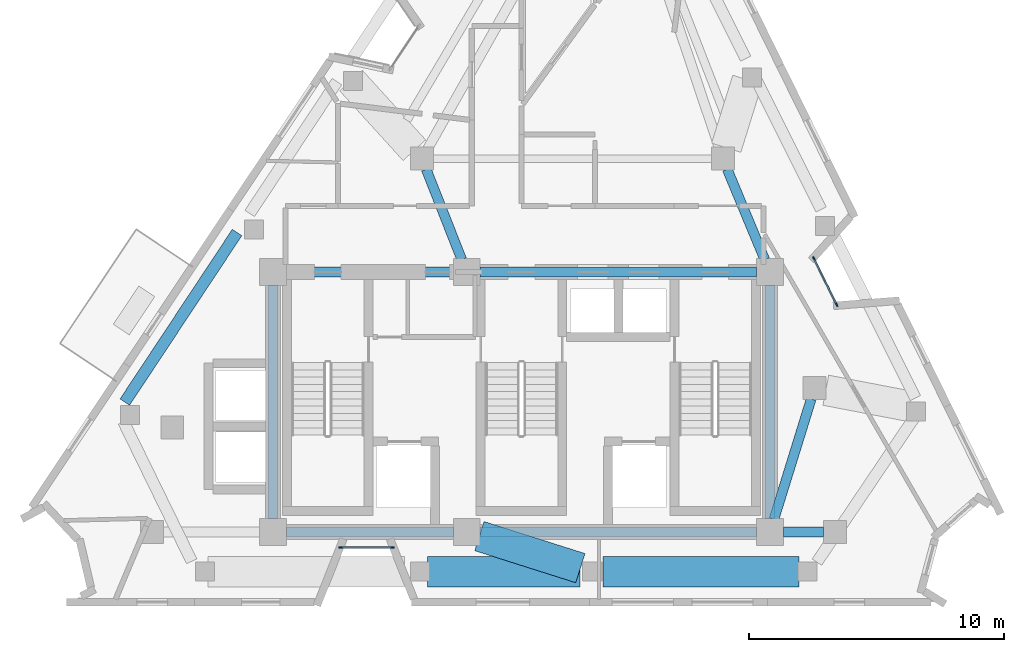
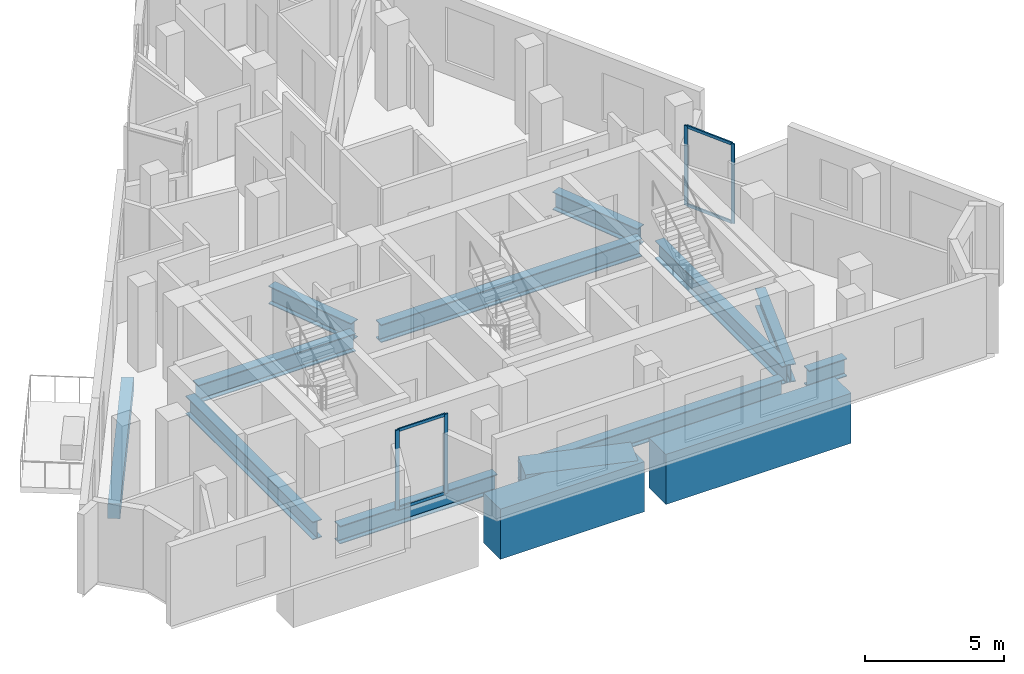
# One storey, part 2 of 10: 14 beams, 8 members, 2 elements without a shape of their own.
"""IFC4 building model written with IfcOpenShell, lengths in metres."""

from ifc_helpers import new_model, si_unit, direction, frame, origin, origin_2d, place, context, subcontext, project, spatial, rectangle, i_section, extrude, material, layer, layer_set, material_profile, profile_set, type_object, element, aggregate, save


model = new_model("IFC4")

# Units and contexts
model_context = context("Model", 3, precision=1e-05, world=origin(), true_north=direction((0.0, 1.0)))
body_context = subcontext(model_context, "Body", "Model", "MODEL_VIEW")
ifc_project = project(units=[si_unit("LENGTHUNIT", "METRE"), si_unit("AREAUNIT", "SQUARE_METRE"), si_unit("VOLUMEUNIT", "CUBIC_METRE"), si_unit("PLANEANGLEUNIT", "RADIAN"), si_unit("MASSUNIT", "GRAM", prefix="KILO")], contexts=[model_context])

# Site, building, storey
site_placement = place(None, origin())
site = spatial("IfcSite", under=ifc_project, at=site_placement, CompositionType="ELEMENT")
building_placement = place(site_placement, origin())
building = spatial("IfcBuilding", under=site, at=building_placement, Name="Almagre Mirador Tower", CompositionType="ELEMENT")
storey_placement = place(building_placement, frame((0.0, 0.0, 270.75)))
storey = spatial("IfcBuildingStorey", under=building, at=storey_placement, Name="L70", CompositionType="ELEMENT", Elevation=270.75)

# Beams
ifc_material_1 = material(Name="Precast concrete C50/60", Category="concrete")
ifc_material_profile_1 = material_profile(ifc_material_1, rectangle(XDim=0.449951171875, YDim=0.64990234375, at=origin_2d()), Name="RC450X650")
ifc_profile_set_1 = profile_set([ifc_material_profile_1], Name="Precast concrete C50/60")
beam_type_1 = type_object("IfcBeamType", Name="BM-SPN-RC450X650", PredefinedType="SPANDREL", material=ifc_profile_set_1)
beam_1_placement = place(storey_placement, frame((26.142578125, 16.3017578125, -0.574951171875), z_axis=(-0.552090728818, -0.833784041076, 0.0), x_axis=(0.833784041076, -0.552090728818, 0.0)))
element("IfcBeam", 1, at=beam_1_placement, inside=storey, type_object=beam_type_1, Name="L70 perimeter spandrel beam PC11-PC12", PredefinedType="SPANDREL", context=body_context, shape_type="SweptSolid", body=[
    extrude(rectangle(XDim=0.449951171875, YDim=0.64990234375, at=origin_2d()), origin(), (0.0, 0.0, 1.0), 7.975341796875),
])
ifc_material_2 = material(Name="Steel ASTM A992 Grade 50", Category="steel")
ifc_material_profile_2 = material_profile(ifc_material_2, i_section(OverallWidth=0.384033203125, OverallDepth=0.784912109375, WebThickness=0.019775390625, FlangeThickness=0.033447265625, FilletRadius=0.02392578125, at=origin_2d()), Name="W30X211")
ifc_profile_set_2 = profile_set([ifc_material_profile_2], Name="Steel ASTM A992 Grade 50")
beam_type_2 = type_object("IfcBeamType", Name="BM-STL-W30X211", PredefinedType="BEAM", material=ifc_profile_set_2)
beam_2_placement = place(storey_placement, frame((28.074951171875, 4.550048828125, -0.642578125), z_axis=(1.0, 0.0, 0.0), x_axis=(0.0, 1.0, 0.0)))
element("IfcBeam", 2, at=beam_2_placement, inside=storey, type_object=beam_type_2, Name="L70 core tie girder CC1-CC2", PredefinedType="BEAM", context=body_context, shape_type="SweptSolid", body=[
    extrude(i_section(OverallWidth=0.384033203125, OverallDepth=0.784912109375, WebThickness=0.019775390625, FlangeThickness=0.033447265625, FilletRadius=0.02392578125, at=origin_2d()), origin(), (0.0, 0.0, 1.0), 6.550048828125),
])
beam_3_placement = place(storey_placement, frame((35.675048828125, 4.550048828125, -0.642578125), z_axis=(1.0, 0.0, 0.0), x_axis=(0.0, 1.0, 0.0)))
element("IfcBeam", 3, at=beam_3_placement, inside=storey, type_object=beam_type_2, Name="L70 core tie girder CC2-CC3", PredefinedType="BEAM", context=body_context, shape_type="SweptSolid", body=[
    extrude(i_section(OverallWidth=0.384033203125, OverallDepth=0.784912109375, WebThickness=0.019775390625, FlangeThickness=0.033447265625, FilletRadius=0.02392578125, at=origin_2d()), origin(), (0.0, 0.0, 1.0), 10.849853515625),
])
beam_4_placement = place(storey_placement, frame((28.074951171875, 14.75, -0.642578125), z_axis=(1.0, 0.0, 0.0), x_axis=(0.0, 1.0, 0.0)))
element("IfcBeam", 4, at=beam_4_placement, inside=storey, type_object=beam_type_2, Name="L70 core tie girder CC4-CC5", PredefinedType="BEAM", context=body_context, shape_type="SweptSolid", body=[
    extrude(i_section(OverallWidth=0.384033203125, OverallDepth=0.784912109375, WebThickness=0.019775390625, FlangeThickness=0.033447265625, FilletRadius=0.02392578125, at=origin_2d()), origin(), (0.0, 0.0, 1.0), 6.550048828125),
])
beam_5_placement = place(storey_placement, frame((35.675048828125, 14.75, -0.642578125), z_axis=(1.0, 0.0, 0.0), x_axis=(0.0, 1.0, 0.0)))
element("IfcBeam", 5, at=beam_5_placement, inside=storey, type_object=beam_type_2, Name="L70 core tie girder CC5-CC6", PredefinedType="BEAM", context=body_context, shape_type="SweptSolid", body=[
    extrude(i_section(OverallWidth=0.384033203125, OverallDepth=0.784912109375, WebThickness=0.019775390625, FlangeThickness=0.033447265625, FilletRadius=0.02392578125, at=origin_2d()), origin(), (0.0, 0.0, 1.0), 10.849853515625),
])
for number, where, z_axis, x_axis, name in (
    (6, (27.550048828125, 5.074951171875, -0.642578125), (0.0, 1.0, 0.0), (-1.0, 0.0, 0.0), "L70 core tie girder CC1-CC4"),
    (7, (47.050048828125, 5.074951171875, -0.642578125), (0.0, 1.0, 0.0), (-1.0, 0.0, 0.0), "L70 core tie girder CC3-CC6"),
):
    element("IfcBeam", number, at=place(storey_placement, frame(where, z_axis=z_axis, x_axis=x_axis)), inside=storey, type_object=beam_type_2, Name=name, PredefinedType="BEAM", context=body_context, shape_type="SweptSolid", body=[
        extrude(i_section(OverallWidth=0.384033203125, OverallDepth=0.784912109375, WebThickness=0.019775390625, FlangeThickness=0.033447265625, FilletRadius=0.02392578125, at=origin_2d()), origin(), (0.0, 0.0, 1.0), 9.150146484375),
    ])
beam_6_placement = place(storey_placement, frame((49.14990234375, 4.550048828125, -0.642578125), z_axis=(-1.0, 0.0, 0.0), x_axis=(0.0, -1.0, 0.0)))
element("IfcBeam", 8, at=beam_6_placement, inside=storey, type_object=beam_type_2, Name="L70 core tie girder MC2-CC3", PredefinedType="BEAM", context=body_context, shape_type="SweptSolid", body=[
    extrude(i_section(OverallWidth=0.384033203125, OverallDepth=0.784912109375, WebThickness=0.019775390625, FlangeThickness=0.033447265625, FilletRadius=0.02392578125, at=origin_2d()), origin(), (0.0, 0.0, 1.0), 1.574951171875),
])
beam_7_placement = place(storey_placement, frame((48.6669921875, 9.77001953125, -0.642578125), z_axis=(-0.295901717967, -0.955218390372, 0.0), x_axis=(0.955218390372, -0.295901717967, 0.0)))
element("IfcBeam", 9, at=beam_7_placement, inside=storey, type_object=beam_type_2, Name="L70 core tie girder MC3-CC3", PredefinedType="BEAM", context=body_context, shape_type="SweptSolid", body=[
    extrude(i_section(OverallWidth=0.384033203125, OverallDepth=0.784912109375, WebThickness=0.019775390625, FlangeThickness=0.033447265625, FilletRadius=0.02392578125, at=origin_2d()), origin(), (0.0, 0.0, 1.0), 4.939697265625),
])
beam_8_placement = place(storey_placement, frame((45.372802734375, 18.784423828125, -0.642578125), z_axis=(0.383862140668, -0.923390414159, 0.0), x_axis=(0.923390414159, 0.383862140668, 0.0)))
element("IfcBeam", 10, at=beam_8_placement, inside=storey, type_object=beam_type_2, Name="L70 core tie girder MC5-CC6", PredefinedType="BEAM", context=body_context, shape_type="SweptSolid", body=[
    extrude(i_section(OverallWidth=0.384033203125, OverallDepth=0.784912109375, WebThickness=0.019775390625, FlangeThickness=0.033447265625, FilletRadius=0.02392578125, at=origin_2d()), origin(), (0.0, 0.0, 1.0), 3.843994140625),
])
beam_9_placement = place(storey_placement, frame((33.564697265625, 18.78125, -0.642578125), z_axis=(0.365999579355, -0.93061501595, 0.0), x_axis=(0.93061501595, 0.365999579355, 0.0)))
element("IfcBeam", 11, at=beam_9_placement, inside=storey, type_object=beam_type_2, Name="L70 core tie girder MC8-CC5", PredefinedType="BEAM", context=body_context, shape_type="SweptSolid", body=[
    extrude(i_section(OverallWidth=0.384033203125, OverallDepth=0.784912109375, WebThickness=0.019775390625, FlangeThickness=0.033447265625, FilletRadius=0.02392578125, at=origin_2d()), origin(), (0.0, 0.0, 1.0), 3.806884765625),
])
ifc_material_3 = material(Name="Concrete C60/75", Category="concrete")
ifc_material_profile_3 = material_profile(ifc_material_3, rectangle(XDim=1.199951171875, YDim=2.199951171875, at=origin_2d()), Name="RC1200X2200")
ifc_profile_set_3 = profile_set([ifc_material_profile_3], Name="Concrete C60/75")
beam_type_3 = type_object("IfcBeamType", Name="BM-XFER-RC1200X2200", PredefinedType="BEAM", material=ifc_profile_set_3)
beam_10_placement = place(storey_placement, frame((33.610107421875, 3.0, -1.35009765625), z_axis=(1.0, 0.0, 0.0), x_axis=(0.0, 1.0, 0.0)))
element("IfcBeam", 12, at=beam_10_placement, inside=storey, type_object=beam_type_3, Name="L70 perimeter spandrel beam PC02-PC03", PredefinedType="BEAM", context=body_context, shape_type="SweptSolid", body=[
    extrude(rectangle(XDim=1.199951171875, YDim=2.199951171875, at=origin_2d()), origin(), (0.0, 0.0, 1.0), 5.97998046875),
])
beam_11_placement = place(storey_placement, frame((40.489990234375, 3.0, -1.35009765625), z_axis=(1.0, 0.0, 0.0), x_axis=(0.0, 1.0, 0.0)))
element("IfcBeam", 13, at=beam_11_placement, inside=storey, type_object=beam_type_3, Name="L70 perimeter spandrel beam PC03-PC04", PredefinedType="BEAM", context=body_context, shape_type="SweptSolid", body=[
    extrude(rectangle(XDim=1.199951171875, YDim=2.199951171875, at=origin_2d()), origin(), (0.0, 0.0, 1.0), 7.699951171875),
])
beam_12_placement = place(storey_placement, frame((39.611083984375, 3.135986328125, -1.35009765625), z_axis=(-0.953262426314, 0.302143586027, 0.0), x_axis=(-0.302143586027, -0.953262426314, 0.0)))
element("IfcBeam", 14, at=beam_12_placement, inside=storey, type_object=beam_type_3, Name="L70 radial transfer girder PC03-CC2", PredefinedType="BEAM", context=body_context, shape_type="SweptSolid", body=[
    extrude(rectangle(XDim=1.199951171875, YDim=2.199951171875, at=origin_2d()), origin(), (0.0, 0.0, 1.0), 4.15478515625),
])

# Curtain wall, members
ifc_material_4 = material(Name="Black anodized aluminium", Category="aluminium")
ifc_layer = layer(ifc_material_4, 0.169921875)
ifc_layer_set = layer_set([ifc_layer], Name="Black anodized aluminium")
curtain_wall_type = type_object("IfcCurtainWallType", Name="CW-CRS-SYS", PredefinedType="NOTDEFINED", material=ifc_layer_set)
curtain_wall_1_placement = place(storey_placement, origin())
curtain_wall_1 = element("IfcCurtainWall", 15, at=curtain_wall_1_placement, inside=storey, type_object=curtain_wall_type, Name="L70 vertical crease curtain wall 03", PredefinedType="NOTDEFINED")
ifc_material_5 = material(Name="Black anodized aluminium", Category="aluminium")
ifc_material_profile_4 = material_profile(ifc_material_5, rectangle(XDim=0.06005859375, YDim=0.14990234375, at=origin_2d()), Name="CWM60X150")
ifc_profile_set_4 = profile_set([ifc_material_profile_4], Name="Black anodized aluminium")
member_type_1 = type_object("IfcMemberType", Name="MBR-CWM60X150", PredefinedType="MULLION", material=ifc_profile_set_4)
member_1_placement = place(storey_placement, frame((48.772216796875, 15.287109375, 0.0), z_axis=(0.0, 0.0, 1.0), x_axis=(0.897467953869, 0.441079666023, 0.0)))
member_1 = element("IfcMember", 16, at=member_1_placement, type_object=member_type_1, Name="CW-4 mullion 1", PredefinedType="MULLION", context=body_context, shape_type="SweptSolid", body=[
    extrude(rectangle(XDim=0.06005859375, YDim=0.14990234375, at=origin_2d()), origin(), (0.0, 0.0, 1.0), 3.5),
])
member_2_placement = place(storey_placement, frame((49.667724609375, 13.46484375, 0.0), z_axis=(0.0, 0.0, 1.0), x_axis=(0.897467953869, 0.441079666023, 0.0)))
member_2 = element("IfcMember", 17, at=member_2_placement, type_object=member_type_1, Name="CW-4 mullion 2", PredefinedType="MULLION", context=body_context, shape_type="SweptSolid", body=[
    extrude(rectangle(XDim=0.06005859375, YDim=0.14990234375, at=origin_2d()), origin(), (0.0, 0.0, 1.0), 3.5),
])

curtain_wall_2_placement = place(storey_placement, origin())
curtain_wall_2 = element("IfcCurtainWall", 18, at=curtain_wall_2_placement, inside=storey, type_object=curtain_wall_type, Name="L70 vertical crease curtain wall 04", PredefinedType="NOTDEFINED")
member_3_placement = place(storey_placement, frame((32.242919921875, 3.949951171875, 0.0), z_axis=(0.0, 0.0, 1.0), x_axis=(0.0, -1.0, 0.0)))
member_3 = element("IfcMember", 19, at=member_3_placement, type_object=member_type_1, Name="CW-4 mullion 1", PredefinedType="MULLION", context=body_context, shape_type="SweptSolid", body=[
    extrude(rectangle(XDim=0.06005859375, YDim=0.14990234375, at=origin_2d()), origin(), (0.0, 0.0, 1.0), 3.5),
])
member_4_placement = place(storey_placement, frame((30.212890625, 3.949951171875, 0.0), z_axis=(0.0, 0.0, 1.0), x_axis=(0.0, -1.0, 0.0)))
member_4 = element("IfcMember", 20, at=member_4_placement, type_object=member_type_1, Name="CW-4 mullion 2", PredefinedType="MULLION", context=body_context, shape_type="SweptSolid", body=[
    extrude(rectangle(XDim=0.06005859375, YDim=0.14990234375, at=origin_2d()), origin(), (0.0, 0.0, 1.0), 3.5),
])

# Member
ifc_material_6 = material(Name="Black anodized aluminium", Category="aluminium")
ifc_material_profile_5 = material_profile(ifc_material_6, rectangle(XDim=0.06005859375, YDim=0.1298828125, at=origin_2d()), Name="CWT60X130")
ifc_profile_set_5 = profile_set([ifc_material_profile_5], Name="Black anodized aluminium")
member_type_2 = type_object("IfcMemberType", Name="MBR-CWT60X130", PredefinedType="USERDEFINED", material=ifc_profile_set_5)
member_5_placement = place(storey_placement, frame((48.785400390625, 15.26025390625, 0.030029296875), z_axis=(0.441107009828, -0.897454514658, 0.0), x_axis=(0.897454514658, 0.441107009828, 0.0)))
member_5 = element("IfcMember", 21, at=member_5_placement, type_object=member_type_2, Name="CW-4 transom 1.1", ObjectType="TRANSOM", PredefinedType="USERDEFINED", context=body_context, shape_type="SweptSolid", body=[
    extrude(rectangle(XDim=0.06005859375, YDim=0.1298828125, at=origin_2d()), origin(), (0.0, 0.0, 1.0), 1.970458984375),
])

member_6_placement = place(storey_placement, frame((48.785400390625, 15.26025390625, 3.469970703125), z_axis=(0.441107009828, -0.897454514658, 0.0), x_axis=(0.897454514658, 0.441107009828, 0.0)))
member_6 = element("IfcMember", 22, at=member_6_placement, type_object=member_type_2, Name="CW-4 transom 1.2", ObjectType="TRANSOM", PredefinedType="USERDEFINED", context=body_context, shape_type="SweptSolid", body=[
    extrude(rectangle(XDim=0.06005859375, YDim=0.1298828125, at=origin_2d()), origin(), (0.0, 0.0, 1.0), 1.970458984375),
])

aggregate(curtain_wall_1, [member_1, member_2, member_5, member_6])

member_7_placement = place(storey_placement, frame((32.212890625, 3.949951171875, 0.030029296875), z_axis=(-1.0, 0.0, 0.0), x_axis=(0.0, -1.0, 0.0)))
member_7 = element("IfcMember", 23, at=member_7_placement, type_object=member_type_2, Name="CW-4 transom 1.1", ObjectType="TRANSOM", PredefinedType="USERDEFINED", context=body_context, shape_type="SweptSolid", body=[
    extrude(rectangle(XDim=0.06005859375, YDim=0.1298828125, at=origin_2d()), origin(), (0.0, 0.0, 1.0), 1.969970703125),
])

member_8_placement = place(storey_placement, frame((32.212890625, 3.949951171875, 3.469970703125), z_axis=(-1.0, 0.0, 0.0), x_axis=(0.0, -1.0, 0.0)))
member_8 = element("IfcMember", 24, at=member_8_placement, type_object=member_type_2, Name="CW-4 transom 1.2", ObjectType="TRANSOM", PredefinedType="USERDEFINED", context=body_context, shape_type="SweptSolid", body=[
    extrude(rectangle(XDim=0.06005859375, YDim=0.1298828125, at=origin_2d()), origin(), (0.0, 0.0, 1.0), 1.969970703125),
])

aggregate(curtain_wall_2, [member_3, member_4, member_7, member_8])

save(model, "model.ifc")
